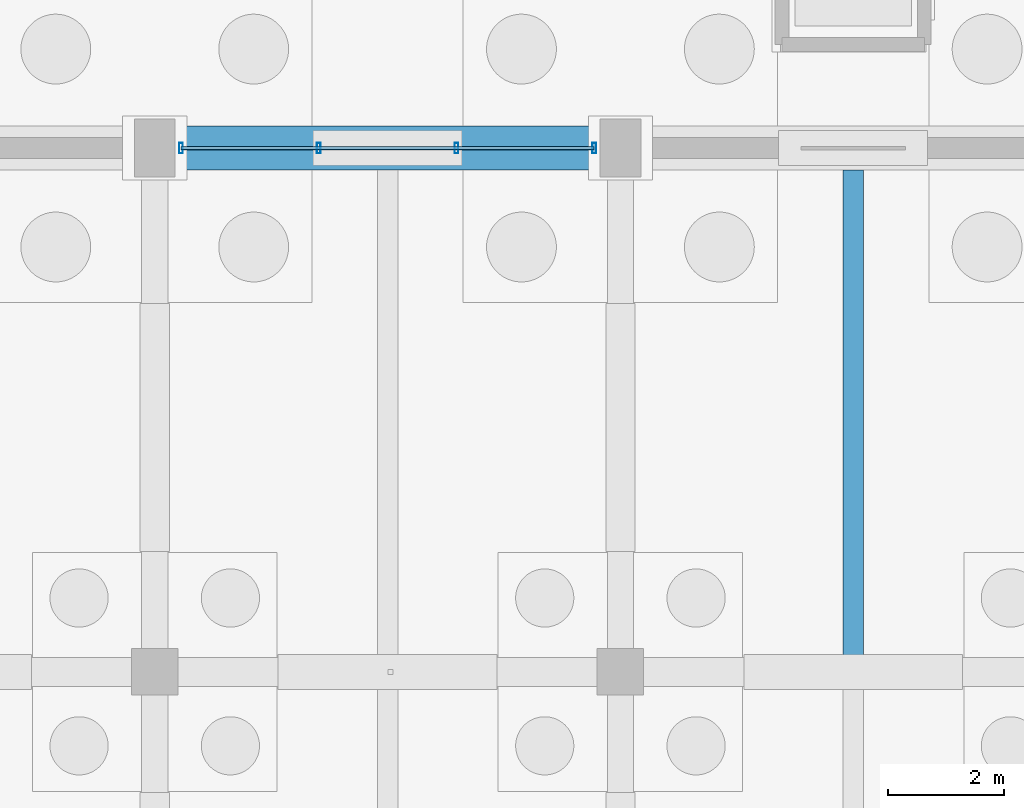
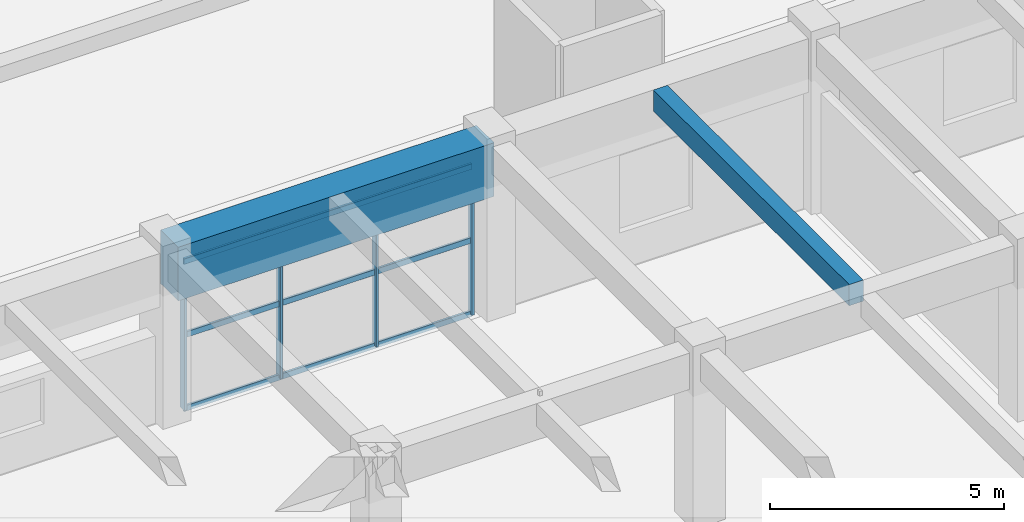
# One storey, part 40 of 147: 7 members, 2 beams, 1 element without a shape of its own.
"""IFC4 building model written with IfcOpenShell, lengths in metres."""

from ifc_helpers import new_model, si_unit, direction, frame, origin, origin_2d, place, context, subcontext, project, spatial, rectangle, hollow_rectangle, extrude, material, material_profile, profile_set, type_object, element, aggregate, save


model = new_model("IFC4")

# Units and contexts
model_context = context("Model", 3, precision=1e-05, world=origin(), true_north=direction((0.0, 1.0)))
body_context = subcontext(model_context, "Body", "Model", "MODEL_VIEW")
ifc_project = project(units=[si_unit("LENGTHUNIT", "METRE"), si_unit("AREAUNIT", "SQUARE_METRE"), si_unit("VOLUMEUNIT", "CUBIC_METRE"), si_unit("PLANEANGLEUNIT", "RADIAN"), si_unit("MASSUNIT", "GRAM", prefix="KILO")], contexts=[model_context])

# Site, building, storey
site_placement = place(None, origin())
site = spatial("IfcSite", under=ifc_project, at=site_placement, CompositionType="ELEMENT")
building_placement = place(site_placement, origin())
building = spatial("IfcBuilding", under=site, at=building_placement, Name="Varnabhumi Central Station", CompositionType="ELEMENT")
storey_placement = place(building_placement, origin())
storey = spatial("IfcBuildingStorey", under=building, at=storey_placement, Name="L00", CompositionType="ELEMENT", Elevation=0.0)

# Beams
ifc_material_1 = material(Name="Concrete M50", Category="concrete")
ifc_material_profile_1 = material_profile(ifc_material_1, rectangle(XDim=0.75, YDim=1.39990234375, at=origin_2d()), Name="Concrete M50", Category="concrete")
ifc_profile_set_1 = profile_set([ifc_material_profile_1], Name="Concrete M50")
beam_type_1 = type_object("IfcBeamType", Name="BM-RC-1400x750", PredefinedType="BEAM", material=ifc_profile_set_1)
beam_1_placement = place(storey_placement, frame((72.10009765625, 36.0, 3.85009765625), z_axis=(1.0, 0.0, 0.0), x_axis=(0.0, 1.0, 0.0)))
element("IfcBeam", 1, at=beam_1_placement, inside=storey, type_object=beam_type_1, Name="Beam L00-E:10-11", PredefinedType="BEAM", context=body_context, shape_type="SweptSolid", body=[
    extrude(rectangle(XDim=0.75, YDim=1.39990234375, at=origin_2d()), origin(), (0.0, 0.0, 1.0), 7.7998046875),
])
ifc_material_2 = material(Name="Concrete M40", Category="concrete")
ifc_material_profile_2 = material_profile(ifc_material_2, rectangle(XDim=0.35009765625, YDim=0.550048828125, at=origin_2d()), Name="Concrete M40", Category="concrete")
ifc_profile_set_2 = profile_set([ifc_material_profile_2], Name="Concrete M40")
beam_type_2 = type_object("IfcBeamType", Name="BM-RC-350x550", PredefinedType="JOIST", material=ifc_profile_set_2)
beam_2_placement = place(storey_placement, frame((84.0, 27.25, 4.27490234375), z_axis=(0.0, 1.0, 0.0), x_axis=(-1.0, 0.0, 0.0)))
element("IfcBeam", 2, at=beam_2_placement, inside=storey, type_object=beam_type_2, Name="Secondary Joist L00-11/12:D-E", PredefinedType="JOIST", context=body_context, shape_type="SweptSolid", body=[
    extrude(rectangle(XDim=0.35009765625, YDim=0.550048828125, at=origin_2d()), origin(), (0.0, 0.0, 1.0), 8.375),
])

# Curtain wall, members
ifc_material_3 = material(Name="Anodised aluminium 6063-T6", Category="aluminium")
curtain_wall_type = type_object("IfcCurtainWallType", Name="CW-SPINE-SCREEN-L0", PredefinedType="NOTDEFINED", material=ifc_material_3)
curtain_wall_placement = place(storey_placement, origin())
curtain_wall = element("IfcCurtainWall", 3, at=curtain_wall_placement, inside=storey, type_object=curtain_wall_type, Name="Curtain Wall CW-SS009", PredefinedType="NOTDEFINED")
ifc_material_profile_3 = material_profile(ifc_material_3, hollow_rectangle(XDim=0.06494140625, YDim=0.179931640625, WallThickness=0.00390625, InnerFilletRadius=0.001953125, OuterFilletRadius=0.006103515625, at=origin_2d()), Name="Anodised aluminium 6063-T6", Category="aluminium")
ifc_profile_set_3 = profile_set([ifc_material_profile_3], Name="Anodised aluminium 6063-T6")
member_type_1 = type_object("IfcMemberType", Name="CW-MUL-180", PredefinedType="MULLION", material=ifc_profile_set_3)
member_1_placement = place(storey_placement, frame((72.449951171875, 36.0, 0.0), z_axis=(0.0, 0.0, 1.0), x_axis=(1.0, 0.0, 0.0)))
member_1 = element("IfcMember", 4, at=member_1_placement, type_object=member_type_1, Name="Curtain Wall Mullion CW-SS009-M1", PredefinedType="MULLION", context=body_context, shape_type="SweptSolid", body=[
    extrude(hollow_rectangle(XDim=0.06494140625, YDim=0.179931640625, WallThickness=0.00390625, InnerFilletRadius=0.001953125, OuterFilletRadius=0.006103515625, at=origin_2d()), origin(), (0.0, 0.0, 1.0), 3.840087890625),
])
member_2_placement = place(storey_placement, frame((74.816650390625, 36.0, 0.0), z_axis=(0.0, 0.0, 1.0), x_axis=(1.0, 0.0, 0.0)))
member_2 = element("IfcMember", 5, at=member_2_placement, type_object=member_type_1, Name="Curtain Wall Mullion CW-SS009-M2", PredefinedType="MULLION", context=body_context, shape_type="SweptSolid", body=[
    extrude(hollow_rectangle(XDim=0.06494140625, YDim=0.179931640625, WallThickness=0.00390625, InnerFilletRadius=0.001953125, OuterFilletRadius=0.006103515625, at=origin_2d()), origin(), (0.0, 0.0, 1.0), 3.840087890625),
])
member_3_placement = place(storey_placement, frame((77.183349609375, 36.0, 0.0), z_axis=(0.0, 0.0, 1.0), x_axis=(1.0, 0.0, 0.0)))
member_3 = element("IfcMember", 6, at=member_3_placement, type_object=member_type_1, Name="Curtain Wall Mullion CW-SS009-M3", PredefinedType="MULLION", context=body_context, shape_type="SweptSolid", body=[
    extrude(hollow_rectangle(XDim=0.06494140625, YDim=0.179931640625, WallThickness=0.00390625, InnerFilletRadius=0.001953125, OuterFilletRadius=0.006103515625, at=origin_2d()), origin(), (0.0, 0.0, 1.0), 3.840087890625),
])
member_4_placement = place(storey_placement, frame((79.550048828125, 36.0, 0.0), z_axis=(0.0, 0.0, 1.0), x_axis=(1.0, 0.0, 0.0)))
member_4 = element("IfcMember", 7, at=member_4_placement, type_object=member_type_1, Name="Curtain Wall Mullion CW-SS009-M4", PredefinedType="MULLION", context=body_context, shape_type="SweptSolid", body=[
    extrude(hollow_rectangle(XDim=0.06494140625, YDim=0.179931640625, WallThickness=0.00390625, InnerFilletRadius=0.001953125, OuterFilletRadius=0.006103515625, at=origin_2d()), origin(), (0.0, 0.0, 1.0), 3.840087890625),
])
ifc_material_profile_4 = material_profile(ifc_material_3, hollow_rectangle(XDim=0.06005859375, YDim=0.14990234375, WallThickness=0.00390625, InnerFilletRadius=0.001953125, OuterFilletRadius=0.006103515625, at=origin_2d()), Name="Anodised aluminium 6063-T6", Category="aluminium")
ifc_profile_set_4 = profile_set([ifc_material_profile_4], Name="Anodised aluminium 6063-T6")
member_type_2 = type_object("IfcMemberType", Name="CW-TR-150", PredefinedType="USERDEFINED", material=ifc_profile_set_4)
member_5_placement = place(storey_placement, frame((72.449951171875, 36.0, 0.0), z_axis=(1.0, 0.0, 0.0), x_axis=(0.0, 1.0, 0.0)))
member_5 = element("IfcMember", 8, at=member_5_placement, type_object=member_type_2, Name="Curtain Wall Transom CW-SS009-T1", ObjectType="TRANSOM", PredefinedType="USERDEFINED", context=body_context, shape_type="SweptSolid", body=[
    extrude(hollow_rectangle(XDim=0.06005859375, YDim=0.14990234375, WallThickness=0.00390625, InnerFilletRadius=0.001953125, OuterFilletRadius=0.006103515625, at=origin_2d()), origin(), (0.0, 0.0, 1.0), 7.10009765625),
])
member_6_placement = place(storey_placement, frame((72.449951171875, 36.0, 1.919921875), z_axis=(1.0, 0.0, 0.0), x_axis=(0.0, 1.0, 0.0)))
member_6 = element("IfcMember", 9, at=member_6_placement, type_object=member_type_2, Name="Curtain Wall Transom CW-SS009-T2", ObjectType="TRANSOM", PredefinedType="USERDEFINED", context=body_context, shape_type="SweptSolid", body=[
    extrude(hollow_rectangle(XDim=0.06005859375, YDim=0.14990234375, WallThickness=0.00390625, InnerFilletRadius=0.001953125, OuterFilletRadius=0.006103515625, at=origin_2d()), origin(), (0.0, 0.0, 1.0), 7.10009765625),
])
member_7_placement = place(storey_placement, frame((72.449951171875, 36.0, 3.840087890625), z_axis=(1.0, 0.0, 0.0), x_axis=(0.0, 1.0, 0.0)))
member_7 = element("IfcMember", 10, at=member_7_placement, type_object=member_type_2, Name="Curtain Wall Transom CW-SS009-T3", ObjectType="TRANSOM", PredefinedType="USERDEFINED", context=body_context, shape_type="SweptSolid", body=[
    extrude(hollow_rectangle(XDim=0.06005859375, YDim=0.14990234375, WallThickness=0.00390625, InnerFilletRadius=0.001953125, OuterFilletRadius=0.006103515625, at=origin_2d()), origin(), (0.0, 0.0, 1.0), 7.10009765625),
])
aggregate(curtain_wall, [member_1, member_2, member_3, member_4, member_5, member_6, member_7])

save(model, "model.ifc")
